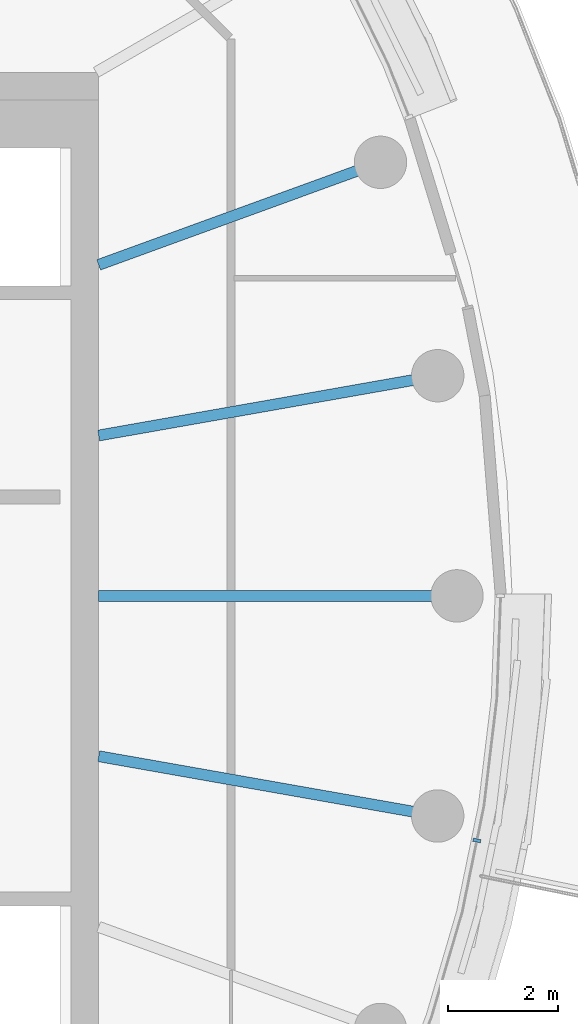
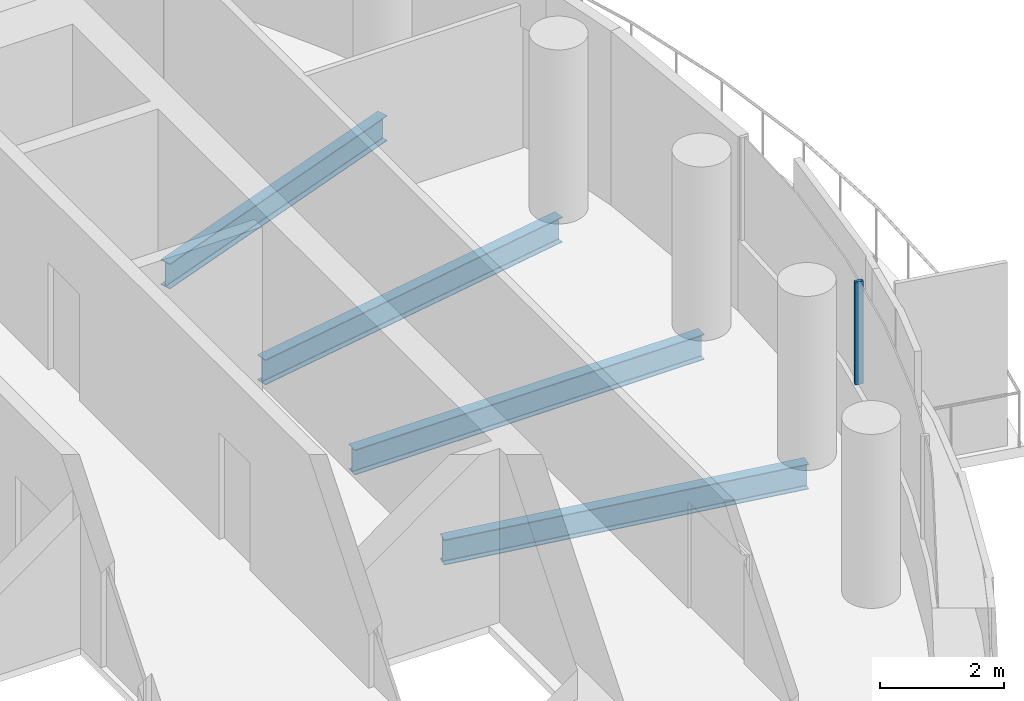
# One storey, part 12 of 32: 4 beams, 1 member, 1 element without a shape of its own.
"""IFC4 building model written with IfcOpenShell, lengths in metres."""

import ifcopenshell
import ifcopenshell.guid

model = None  # the IFC model being written
_history = None  # IfcOwnerHistory: only IFC2X3 demands one
_inside = {}  # id of a spatial element -> (the spatial element, [elements in it])
_under = {}  # id of a project, library or spatial element -> (it, [spatial elements below it])
_declared = {}  # id of a project -> (the project, [libraries it declares])
_typed = {}  # id of a type object -> (the type object, [elements of that type])
_made_of = {}  # id of a material, layer set ... -> (it, [elements and type objects made of it])


def new_model(schema):
    """Start an empty IFC model of exactly this schema.

    Asked for "IFC4X3", IfcOpenShell would pick the latest addendum, in which some entities
    have other attributes; the version numbers below select the first issue.
    IFC2X3 requires an IfcOwnerHistory on every rooted entity: one is made here for all.
    """
    global model, _history
    if schema == "IFC4X3":
        model = ifcopenshell.file(schema_version=(4, 3, 0, 0))
    else:
        model = ifcopenshell.file(schema=schema)
    _inside.clear()
    _under.clear()
    _declared.clear()
    _typed.clear()
    _made_of.clear()
    _history = None
    if model.schema == "IFC2X3":
        org = make("IfcOrganization", Name="unknown")
        user = make(
            "IfcPersonAndOrganization",
            ThePerson=make("IfcPerson", FamilyName="unknown"),
            TheOrganization=org,
        )
        app = make(
            "IfcApplication",
            ApplicationDeveloper=org,
            Version="unknown",
            ApplicationFullName="unknown",
            ApplicationIdentifier="unknown",
        )
        _history = make(
            "IfcOwnerHistory",
            OwningUser=user,
            OwningApplication=app,
            ChangeAction="ADDED",
            CreationDate=0,
        )
    return model


def make(cls, **values):
    """One entity of the class cls with the attributes given. An attribute that is None is left unset."""
    return model.create_entity(
        cls, **{name: value for name, value in values.items() if value is not None}
    )


def rooted(cls, **values):
    """An entity with a GlobalId (a new one), such as an element, a storey or a relation."""
    return make(cls, GlobalId=ifcopenshell.guid.new(), OwnerHistory=_history, **values)


def si_unit(unit_type, name, prefix=None):
    """IfcSIUnit, for example si_unit("LENGTHUNIT", "METRE", prefix="MILLI")."""
    return make("IfcSIUnit", UnitType=unit_type, Prefix=prefix, Name=name)


def assignment(units):
    """IfcUnitAssignment: the units of a project."""
    return None if units is None else make("IfcUnitAssignment", Units=units)


def point(xyz):
    """IfcCartesianPoint."""
    return None if xyz is None else make("IfcCartesianPoint", Coordinates=xyz)


def direction(xyz):
    """IfcDirection."""
    return None if xyz is None else make("IfcDirection", DirectionRatios=xyz)


def frame(location, z_axis=None, x_axis=None):
    """IfcAxis2Placement3D, a coordinate frame: its origin and axes. An axis left out is left unset."""
    return make(
        "IfcAxis2Placement3D",
        Location=point(location),
        Axis=direction(z_axis),
        RefDirection=direction(x_axis),
    )


def frame_2d(location, x_axis=None):
    """IfcAxis2Placement2D, a coordinate frame in the plane: its origin and x axis."""
    return make(
        "IfcAxis2Placement2D", Location=point(location), RefDirection=direction(x_axis)
    )


def origin():
    """The frame at (0, 0, 0) with its axes left unset."""
    return frame((0.0, 0.0, 0.0))


def origin_2d():
    """The frame at (0, 0) in the plane with its x axis left unset."""
    return frame_2d((0.0, 0.0))


def place(relative_to, where):
    """IfcLocalPlacement: puts the frame where relative to a parent placement (None: the world)."""
    return make(
        "IfcLocalPlacement", PlacementRelTo=relative_to, RelativePlacement=where
    )


def context(
    kind, dimensions, precision=None, world=None, true_north=None, identifier=None
):
    """IfcGeometricRepresentationContext, for example the 3D "Model" context."""
    return make(
        "IfcGeometricRepresentationContext",
        ContextIdentifier=identifier,
        ContextType=kind,
        CoordinateSpaceDimension=dimensions,
        Precision=precision,
        WorldCoordinateSystem=world,
        TrueNorth=true_north,
    )


def subcontext(parent, identifier, kind, view, scale=None):
    """IfcGeometricRepresentationSubContext, for example "Body" below "Model"."""
    return make(
        "IfcGeometricRepresentationSubContext",
        ContextIdentifier=identifier,
        ContextType=kind,
        ParentContext=parent,
        TargetScale=scale,
        TargetView=view,
    )


def project(units=None, contexts=None):
    """IfcProject with its units and contexts."""
    return rooted(
        "IfcProject",
        Name="project",
        RepresentationContexts=contexts,
        UnitsInContext=assignment(units),
    )


def spatial(cls, under=None, at=None, **own):
    """A site, building, storey or space (cls), placed at a placement, below another one or the project."""
    s = rooted(cls, ObjectPlacement=at, **own)
    if under is not None:
        _under.setdefault(under.id(), (under, []))[1].append(s)
    return s


def profile(cls, at=None, kind="AREA", **sizes):
    """A parametric profile (cls). Its sizes go by their IFC names, for example OverallWidth=200.0."""
    return make(cls, ProfileType=kind, Position=at, **sizes)


def rectangle(**sizes):
    """IfcRectangleProfileDef."""
    return profile("IfcRectangleProfileDef", **sizes)


def i_section(**sizes):
    """IfcIShapeProfileDef."""
    return profile("IfcIShapeProfileDef", **sizes)


def extrude(swept, where, along, depth):
    """IfcExtrudedAreaSolid: the profile swept, set in the frame where, extruded along a direction by depth."""
    return make(
        "IfcExtrudedAreaSolid",
        SweptArea=swept,
        Position=where,
        ExtrudedDirection=direction(along),
        Depth=depth,
    )


def shape(context_of_items, identifier, shape_type, items):
    """IfcShapeRepresentation: the items that make up one representation, for example the "Body"."""
    return make(
        "IfcShapeRepresentation",
        ContextOfItems=context_of_items,
        RepresentationIdentifier=identifier,
        RepresentationType=shape_type,
        Items=items,
    )


def material(Name=None, Category=None):
    """IfcMaterial."""
    return make("IfcMaterial", Name=Name, Category=Category)


def layer(
    of_material, thickness, ventilated=None, Name=None, Category=None, Priority=None
):
    """IfcMaterialLayer: one layer of a wall or slab, of a material (None: an air gap)."""
    return make(
        "IfcMaterialLayer",
        Material=of_material,
        LayerThickness=thickness,
        IsVentilated=ventilated,
        Name=Name,
        Category=Category,
        Priority=Priority,
    )


def layer_set(layers, Name=None):
    """IfcMaterialLayerSet."""
    return make("IfcMaterialLayerSet", MaterialLayers=layers, LayerSetName=Name)


def material_profile(
    of_material, cross_section, Name=None, Category=None, Priority=None
):
    """IfcMaterialProfile: a cross section and its material."""
    return make(
        "IfcMaterialProfile",
        Name=Name,
        Material=of_material,
        Profile=cross_section,
        Priority=Priority,
        Category=Category,
    )


def profile_set(profiles, Name=None, composite=None):
    """IfcMaterialProfileSet."""
    return make(
        "IfcMaterialProfileSet",
        Name=Name,
        MaterialProfiles=profiles,
        CompositeProfile=composite,
    )


def made_of(thing, what):
    """Note that an element or type object is made of a material, layer set ...; save() writes the relation."""
    if what is not None:
        _made_of.setdefault(what.id(), (what, []))[1].append(thing)
    return thing


def type_object(cls, material=None, **own):
    """A type object (cls), such as IfcWallType, which elements share."""
    return made_of(rooted(cls, **own), material)


def element(
    cls,
    number,
    at=None,
    inside=None,
    cuts=None,
    type_object=None,
    material=None,
    context=None,
    identifier="Body",
    shape_type=None,
    held_by="IfcProductDefinitionShape",
    body=None,
    shapes=None,
    **own,
):
    """One element of the class cls, such as IfcWall. Its Tag is "e" and its number.

    at: its placement. inside: the storey or other place that contains it. cuts: it is an
    opening in that element (IfcRelVoidsElement). A single representation is given by context,
    identifier, shape_type and body (its items); several are given by shapes. held_by: the class
    of the entity that holds the representations. save() writes the other relations.
    """
    e = rooted(cls, Tag="e%d" % number, ObjectPlacement=at, **own)
    if body is not None:
        shapes = [shape(context, identifier, shape_type, body)]
    if shapes is not None:
        e.Representation = make(held_by, Representations=shapes)
    if inside is not None:
        _inside.setdefault(inside.id(), (inside, []))[1].append(e)
    if cuts is not None:
        rooted(
            "IfcRelVoidsElement", RelatingBuildingElement=cuts, RelatedOpeningElement=e
        )
    if type_object is not None:
        _typed.setdefault(type_object.id(), (type_object, []))[1].append(e)
    return made_of(e, material)


def aggregate(whole, parts):
    """IfcRelAggregates: a whole, such as a stair, and the parts it consists of."""
    return rooted("IfcRelAggregates", RelatingObject=whole, RelatedObjects=parts)


def save(model, path):
    """Write the relations noted so far, then the file.

    IfcRelAggregates (storeys below a building ...), IfcRelContainedInSpatialStructure (elements
    in a storey), IfcRelDefinesByType, IfcRelAssociatesMaterial and IfcRelDeclares: one each for
    every whole, place, type object, material and project.
    """
    for whole, parts in _under.values():
        aggregate(whole, parts)
    for where, things in _inside.values():
        rooted(
            "IfcRelContainedInSpatialStructure",
            RelatedElements=things,
            RelatingStructure=where,
        )
    for kind, things in _typed.values():
        rooted("IfcRelDefinesByType", RelatedObjects=things, RelatingType=kind)
    for what, things in _made_of.values():
        rooted("IfcRelAssociatesMaterial", RelatedObjects=things, RelatingMaterial=what)
    for by, libraries in _declared.values():
        rooted("IfcRelDeclares", RelatingContext=by, RelatedDefinitions=libraries)
    model.write(path)


model = new_model("IFC4")

# Units and contexts
model_context = context("Model", 3, precision=1e-05, world=origin(), true_north=direction((0.0, 1.0)))
body_context = subcontext(model_context, "Body", "Model", "MODEL_VIEW")
ifc_project = project(units=[si_unit("LENGTHUNIT", "METRE"), si_unit("AREAUNIT", "SQUARE_METRE"), si_unit("VOLUMEUNIT", "CUBIC_METRE"), si_unit("PLANEANGLEUNIT", "RADIAN"), si_unit("MASSUNIT", "GRAM", prefix="KILO")], contexts=[model_context])

# Site, building, storey
site_placement = place(None, origin())
site = spatial("IfcSite", under=ifc_project, at=site_placement, CompositionType="ELEMENT")
building_placement = place(site_placement, origin())
building = spatial("IfcBuilding", under=site, at=building_placement, Name="Tamarind Cross Interchange Tower", CompositionType="ELEMENT")
storey_placement = place(building_placement, frame((0.0, 0.0, 211.300048828125)))
storey = spatial("IfcBuildingStorey", under=building, at=storey_placement, Name="L53", CompositionType="ELEMENT", Elevation=211.300048828125)

# Beams
ifc_material_1 = material(Name="Steel Q355B", Category="steel")
ifc_material_profile_1 = material_profile(ifc_material_1, i_section(OverallWidth=0.198974609375, OverallDepth=0.49609375, WebThickness=0.009033203125, FlangeThickness=0.013916015625, FilletRadius=0.012939453125, at=origin_2d()), Name="HN 496x199x9x14")
ifc_profile_set_1 = profile_set([ifc_material_profile_1], Name="Steel Q355B")
beam_type = type_object("IfcBeamType", Name="Composite beam HN 496x199x9x14 Q355B", PredefinedType="BEAM", material=ifc_profile_set_1)
beam_1_placement = place(storey_placement, frame((23.0, 0.0, -0.387939453125), z_axis=(-1.0, 0.0, 0.0), x_axis=(0.0, -1.0, 0.0)))
element("IfcBeam", 1, at=beam_1_placement, inside=storey, type_object=beam_type, Name="Beam HH00", PredefinedType="BEAM", context=body_context, shape_type="SweptSolid", body=[
    extrude(i_section(OverallWidth=0.198974609375, OverallDepth=0.49609375, WebThickness=0.009033203125, FlangeThickness=0.013916015625, FilletRadius=0.012939453125, at=origin_2d()), origin(), (0.0, 0.0, 1.0), 6.5),
])
beam_2_placement = place(storey_placement, frame((22.650634765625, 3.993896484375, -0.387939453125), z_axis=(-0.984809127561, -0.173640382036, 0.0), x_axis=(0.173640382036, -0.984809127561, 0.0)))
element("IfcBeam", 2, at=beam_2_placement, inside=storey, type_object=beam_type, Name="Beam HH01", PredefinedType="BEAM", context=body_context, shape_type="SweptSolid", body=[
    extrude(i_section(OverallWidth=0.198974609375, OverallDepth=0.49609375, WebThickness=0.009033203125, FlangeThickness=0.013916015625, FilletRadius=0.012939453125, at=origin_2d()), origin(), (0.0, 0.0, 1.0), 6.24560546875),
])
beam_3_placement = place(storey_placement, frame((21.613037109375, 7.866455078125, -0.387939453125), z_axis=(-0.939701685589, -0.341995236956, 0.0), x_axis=(0.341995236956, -0.939701685589, 0.0)))
element("IfcBeam", 3, at=beam_3_placement, inside=storey, type_object=beam_type, Name="Beam HH02", PredefinedType="BEAM", context=body_context, shape_type="SweptSolid", body=[
    extrude(i_section(OverallWidth=0.198974609375, OverallDepth=0.49609375, WebThickness=0.009033203125, FlangeThickness=0.013916015625, FilletRadius=0.012939453125, at=origin_2d()), origin(), (0.0, 0.0, 1.0), 5.441162109375),
])
beam_4_placement = place(storey_placement, frame((22.650634765625, -3.993896484375, -0.387939453125), z_axis=(-0.984809127561, 0.173640382036, 0.0), x_axis=(-0.173640382036, -0.984809127561, 0.0)))
element("IfcBeam", 4, at=beam_4_placement, inside=storey, type_object=beam_type, Name="Beam HH35", PredefinedType="BEAM", context=body_context, shape_type="SweptSolid", body=[
    extrude(i_section(OverallWidth=0.198974609375, OverallDepth=0.49609375, WebThickness=0.009033203125, FlangeThickness=0.013916015625, FilletRadius=0.012939453125, at=origin_2d()), origin(), (0.0, 0.0, 1.0), 6.24560546875),
])

# Curtain wall, member
ifc_material_2 = material(Name="Aluminium 6063-T6", Category="aluminium")
ifc_layer = layer(ifc_material_2, 0.139892578125)
ifc_layer_set = layer_set([ifc_layer], Name="Aluminium 6063-T6")
curtain_wall_type = type_object("IfcCurtainWallType", Name="Hotel curtain wall, 4.5 m bays", PredefinedType="NOTDEFINED", material=ifc_layer_set)
curtain_wall_placement = place(storey_placement, origin())
curtain_wall = element("IfcCurtainWall", 5, at=curtain_wall_placement, inside=storey, type_object=curtain_wall_type, Name="CWS-L53-06", PredefinedType="NOTDEFINED")
ifc_material_profile_2 = material_profile(ifc_material_2, rectangle(XDim=0.06005859375, YDim=0.139892578125, at=origin_2d()), Name="Mullion CW2")
ifc_profile_set_2 = profile_set([ifc_material_profile_2], Name="Aluminium 6063-T6")
member_type = type_object("IfcMemberType", Name="Mullion CW2", PredefinedType="MULLION", material=ifc_profile_set_2)
member_placement = place(storey_placement, frame((23.360107421875, -4.437744140625, 1.39990234375), z_axis=(0.0, 0.0, 1.0), x_axis=(0.201001463943, 0.9795909409, 0.0)))
member = element("IfcMember", 6, at=member_placement, type_object=member_type, Name="CWM-L53-06-05", PredefinedType="MULLION", context=body_context, shape_type="SweptSolid", body=[
    extrude(rectangle(XDim=0.06005859375, YDim=0.139892578125, at=origin_2d()), origin(), (0.0, 0.0, 1.0), 2.02001953125),
])
aggregate(curtain_wall, [member])

save(model, "model.ifc")
